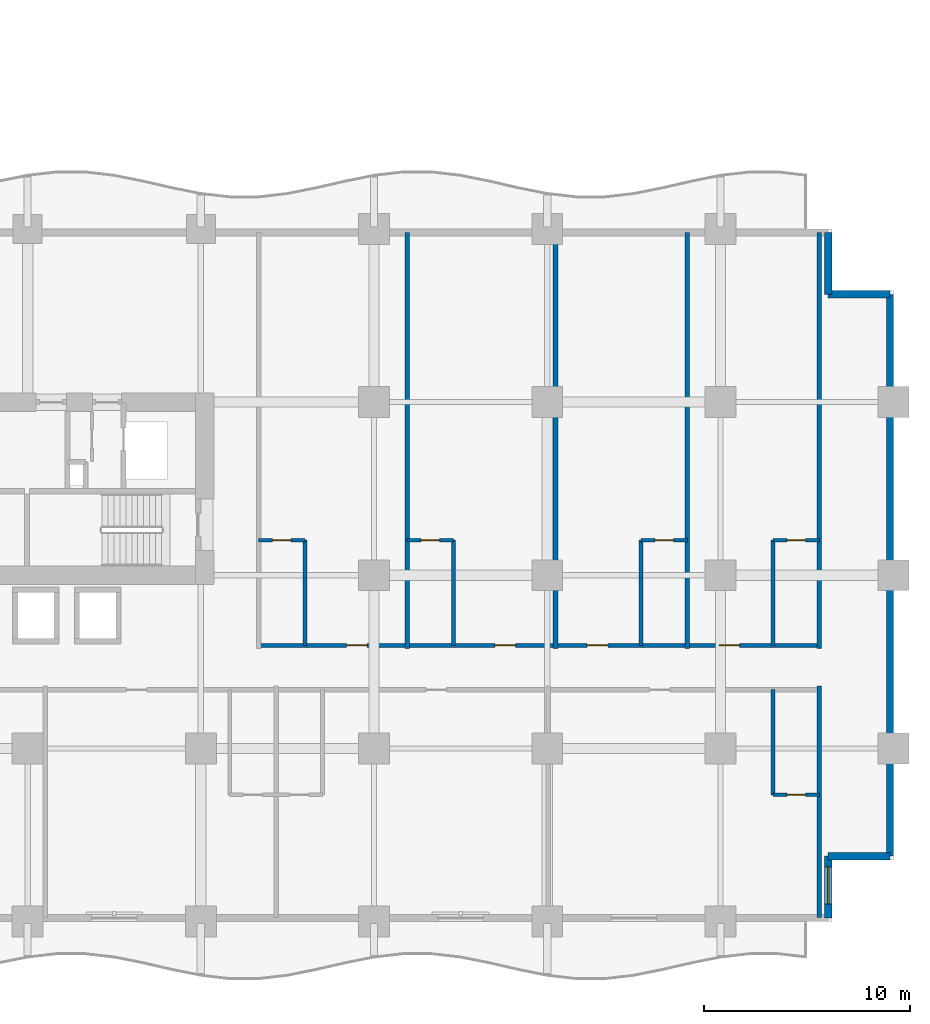
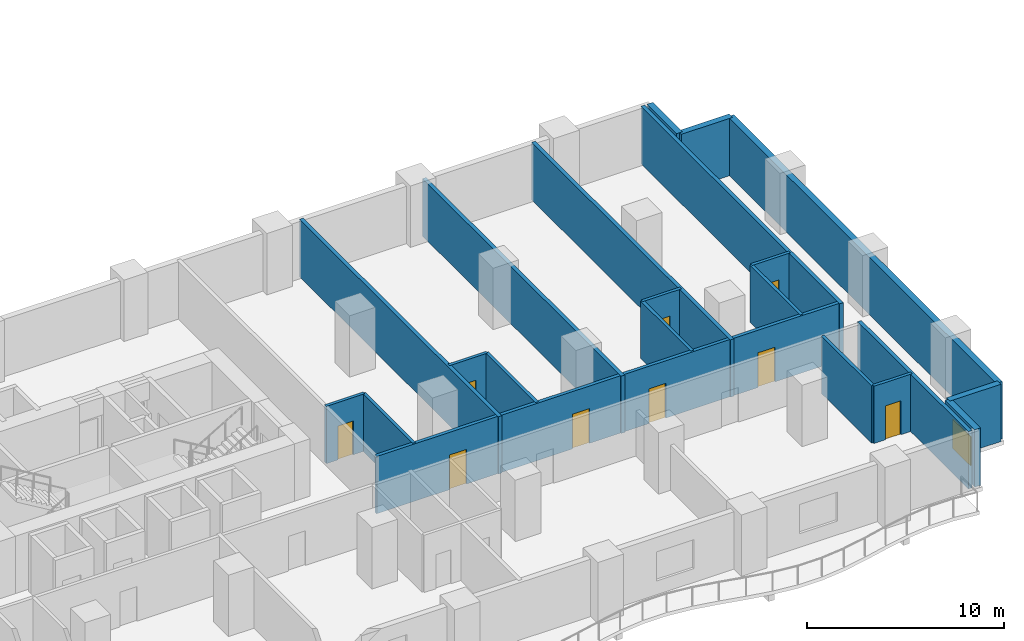
# One storey, part 12 of 22: 21 walls, 9 doors, 1 window, 10 openings.
"""IFC4 building model written with IfcOpenShell, lengths in metres."""

from ifc_helpers import new_model, si_unit, direction, frame, frame_2d, origin, place, context, subcontext, project, spatial, rectangle, extrude, material, layer, layer_set, type_object, element, fill, save


model = new_model("IFC4")

# Units and contexts
model_context = context("Model", 3, precision=1e-05, world=origin(), true_north=direction((0.0, 1.0)))
body_context = subcontext(model_context, "Body", "Model", "MODEL_VIEW")
ifc_project = project(units=[si_unit("LENGTHUNIT", "METRE"), si_unit("AREAUNIT", "SQUARE_METRE"), si_unit("VOLUMEUNIT", "CUBIC_METRE"), si_unit("PLANEANGLEUNIT", "RADIAN"), si_unit("MASSUNIT", "GRAM", prefix="KILO")], contexts=[model_context])

# Site, building, storey
site_placement = place(None, origin())
site = spatial("IfcSite", under=ifc_project, at=site_placement, CompositionType="ELEMENT")
building_placement = place(site_placement, origin())
building = spatial("IfcBuilding", under=site, at=building_placement, Name="Koriwani Terraces Tower", CompositionType="ELEMENT")
storey_placement = place(building_placement, frame((0.0, 0.0, 43.39990234375)))
storey = spatial("IfcBuildingStorey", under=building, at=storey_placement, Name="L09", CompositionType="ELEMENT", Elevation=43.39990234375)

# Wall, openings, doors
ifc_material_1 = material(Name="Autoclaved Cellular Concrete Blockwork", Category="masonry")
ifc_layer_1 = layer(ifc_material_1, 0.199951171875, Name="Autoclaved Cellular Concrete Blockwork")
ifc_layer_set_1 = layer_set([ifc_layer_1], Name="Autoclaved Cellular Concrete Blockwork")
wall_type_1 = type_object("IfcWallType", Name="WALL_CORRIDOR_200", PredefinedType="PARTITIONING", material=ifc_layer_set_1)
wall_1_placement = place(storey_placement, frame((61.60009765625, 13.39990234375, 0.0), z_axis=(0.0, 0.0, 1.0), x_axis=(1.0, 0.0, 0.0)))
wall_1 = element("IfcWall", 1, at=wall_1_placement, inside=storey, type_object=wall_type_1, Name="L09 Interior Wall WCOR-L09-SE-0", PredefinedType="PARTITIONING", context=body_context, shape_type="SweptSolid", body=[
    extrude(rectangle(XDim=27.199951171875, YDim=0.199951171875, at=frame_2d((13.60009765625, 0.0))), origin(), (0.0, 0.0, 1.0), 3.550048828125),
])
opening_1_placement = place(wall_1_placement, frame((4.264892578125, 0.0, 0.0)))
opening_1 = element("IfcOpeningElement", 2, at=opening_1_placement, cuts=wall_1, Name="Opening D-05", PredefinedType="OPENING", context=body_context, shape_type="SweptSolid", body=[
    extrude(rectangle(XDim=1.0, YDim=2.14990234375, at=frame_2d((0.5, 1.074951171875))), frame((0.0, 0.10986328125, 0.0), z_axis=(0.0, -1.0, 0.0), x_axis=(1.0, 0.0, 0.0)), (0.0, 0.0, 1.0), 0.219970703125),
])
opening_2_placement = place(wall_1_placement, frame((11.465087890625, 0.0, 0.0)))
opening_2 = element("IfcOpeningElement", 3, at=opening_2_placement, cuts=wall_1, Name="Opening D-05", PredefinedType="OPENING", context=body_context, shape_type="SweptSolid", body=[
    extrude(rectangle(XDim=1.0, YDim=2.14990234375, at=frame_2d((0.5, 1.074951171875))), frame((0.0, 0.10986328125, 0.0), z_axis=(0.0, -1.0, 0.0), x_axis=(1.0, 0.0, 0.0)), (0.0, 0.0, 1.0), 0.219970703125),
])
opening_3_placement = place(wall_1_placement, frame((15.93505859375, 0.0, 0.0)))
opening_3 = element("IfcOpeningElement", 4, at=opening_3_placement, cuts=wall_1, Name="Opening D-05", PredefinedType="OPENING", context=body_context, shape_type="SweptSolid", body=[
    extrude(rectangle(XDim=1.0, YDim=2.14990234375, at=frame_2d((0.5, 1.074951171875))), frame((0.0, 0.10986328125, 0.0), z_axis=(0.0, -1.0, 0.0), x_axis=(1.0, 0.0, 0.0)), (0.0, 0.0, 1.0), 0.219970703125),
])
opening_4_placement = place(wall_1_placement, frame((22.3349609375, 0.0, 0.0)))
opening_4 = element("IfcOpeningElement", 5, at=opening_4_placement, cuts=wall_1, Name="Opening D-05", PredefinedType="OPENING", context=body_context, shape_type="SweptSolid", body=[
    extrude(rectangle(XDim=1.0, YDim=2.14990234375, at=frame_2d((0.5, 1.074951171875))), frame((0.0, 0.10986328125, 0.0), z_axis=(0.0, -1.0, 0.0), x_axis=(1.0, 0.0, 0.0)), (0.0, 0.0, 1.0), 0.219970703125),
])
ifc_material_2 = material(Name="Architectural Oak Fire Door", Category="wood")
door_type_1 = type_object("IfcDoorType", Name="DOOR_SUITE_ENTRY_1000X2150", OperationType="NOTDEFINED", PredefinedType="DOOR", material=ifc_material_2)
door_1_placement = place(opening_1_placement, origin())
door_1 = element("IfcDoor", 6, at=door_1_placement, inside=storey, type_object=door_type_1, Name="Luxury Hotel Suite 09SE1 Entrance Door", OperationType="SINGLE_SWING_LEFT", OverallHeight=2.14990234375, OverallWidth=1.0, PredefinedType="DOOR", context=body_context, shape_type="SweptSolid", body=[
    extrude(rectangle(XDim=1.0, YDim=2.14990234375, at=frame_2d((0.5, 1.074951171875))), frame((0.0, 0.02490234375, 0.0), z_axis=(0.0, -1.0, 0.0), x_axis=(1.0, 0.0, 0.0)), (0.0, 0.0, 1.0), 0.050048828125),
])
fill(opening_1, door_1)
door_2_placement = place(opening_2_placement, origin())
door_2 = element("IfcDoor", 7, at=door_2_placement, inside=storey, type_object=door_type_1, Name="Luxury Hotel Suite 09SE2 Entrance Door", OperationType="SINGLE_SWING_LEFT", OverallHeight=2.14990234375, OverallWidth=1.0, PredefinedType="DOOR", context=body_context, shape_type="SweptSolid", body=[
    extrude(rectangle(XDim=1.0, YDim=2.14990234375, at=frame_2d((0.5, 1.074951171875))), frame((0.0, 0.02490234375, 0.0), z_axis=(0.0, -1.0, 0.0), x_axis=(1.0, 0.0, 0.0)), (0.0, 0.0, 1.0), 0.050048828125),
])
fill(opening_2, door_2)
door_3_placement = place(opening_3_placement, origin())
door_3 = element("IfcDoor", 8, at=door_3_placement, inside=storey, type_object=door_type_1, Name="Luxury Hotel Suite 09SE3 Entrance Door", OperationType="SINGLE_SWING_LEFT", OverallHeight=2.14990234375, OverallWidth=1.0, PredefinedType="DOOR", context=body_context, shape_type="SweptSolid", body=[
    extrude(rectangle(XDim=1.0, YDim=2.14990234375, at=frame_2d((0.5, 1.074951171875))), frame((0.0, 0.02490234375, 0.0), z_axis=(0.0, -1.0, 0.0), x_axis=(1.0, 0.0, 0.0)), (0.0, 0.0, 1.0), 0.050048828125),
])
fill(opening_3, door_3)
door_4_placement = place(opening_4_placement, origin())
door_4 = element("IfcDoor", 9, at=door_4_placement, inside=storey, type_object=door_type_1, Name="Luxury Hotel Suite 09SE4 Entrance Door", OperationType="SINGLE_SWING_LEFT", OverallHeight=2.14990234375, OverallWidth=1.0, PredefinedType="DOOR", context=body_context, shape_type="SweptSolid", body=[
    extrude(rectangle(XDim=1.0, YDim=2.14990234375, at=frame_2d((0.5, 1.074951171875))), frame((0.0, 0.02490234375, 0.0), z_axis=(0.0, -1.0, 0.0), x_axis=(1.0, 0.0, 0.0)), (0.0, 0.0, 1.0), 0.050048828125),
])
fill(opening_4, door_4)

# Walls
ifc_layer_2 = layer(ifc_material_1, 0.219970703125, Name="Autoclaved Cellular Concrete Blockwork")
ifc_layer_set_2 = layer_set([ifc_layer_2], Name="Autoclaved Cellular Concrete Blockwork")
wall_type_2 = type_object("IfcWallType", Name="WALL_DEMISING_220", PredefinedType="PARTITIONING", material=ifc_layer_set_2)
wall_2_placement = place(storey_placement, frame((88.800048828125, 0.199951171875, 0.0), z_axis=(0.0, 0.0, 1.0), x_axis=(0.0, 1.0, 0.0)))
element("IfcWall", 10, at=wall_2_placement, inside=storey, type_object=wall_type_2, Name="L09 Interior Wall WDEME-L09-SW", PredefinedType="PARTITIONING", context=body_context, shape_type="SweptSolid", body=[
    extrude(rectangle(XDim=11.22998046875, YDim=0.219970703125, at=frame_2d((5.614990234375, 0.0))), origin(), (0.0, 0.0, 1.0), 3.550048828125),
])
for number, where, z_axis, x_axis, name in (
    (11, (68.800048828125, 13.25, 0.0), (0.0, 0.0, 1.0), (0.0, 1.0, 0.0), "L09 Interior Wall WDEM-L09-SE-1"),
    (12, (76.0, 13.25, 0.0), (0.0, 0.0, 1.0), (0.0, 1.0, 0.0), "L09 Interior Wall WDEM-L09-SE-2"),
    (13, (82.39990234375, 13.25, 0.0), (0.0, 0.0, 1.0), (0.0, 1.0, 0.0), "L09 Interior Wall WDEM-L09-SE-3"),
    (14, (88.800048828125, 13.25, 0.0), (0.0, 0.0, 1.0), (0.0, 1.0, 0.0), "L09 Interior Wall WDEME-L09-SE"),
):
    element("IfcWall", number, at=place(storey_placement, frame(where, z_axis=z_axis, x_axis=x_axis)), inside=storey, type_object=wall_type_2, Name=name, PredefinedType="PARTITIONING", context=body_context, shape_type="SweptSolid", body=[
        extrude(rectangle(XDim=20.179931640625, YDim=0.219970703125, at=frame_2d((10.08984375, 0.0))), origin(), (0.0, 0.0, 1.0), 3.550048828125),
    ])
ifc_material_3 = material(Name="Concrete C50/60", Category="concrete")
ifc_layer_3 = layer(ifc_material_3, 0.35009765625, Name="Concrete C50/60")
ifc_layer_set_3 = layer_set([ifc_layer_3], Name="Concrete C50/60")
wall_type_3 = type_object("IfcWallType", Name="WALL_EXT_BRUTALIST_350", PredefinedType="STANDARD", material=ifc_layer_set_3)
for number, where, z_axis, x_axis, name in (
    (15, (89.22509765625, 33.425048828125, 0.0), (0.0, 0.0, 1.0), (0.0, -1.0, 0.0), "L09 Fair-Faced Brutalist Exterior Wall (N10)"),
    (16, (89.22509765625, 30.425048828125, 0.0), (0.0, 0.0, 1.0), (1.0, 0.0, 0.0), "L09 Fair-Faced Brutalist Exterior Wall (N11)"),
):
    element("IfcWall", number, at=place(storey_placement, frame(where, z_axis=z_axis, x_axis=x_axis)), inside=storey, type_object=wall_type_3, Name=name, PredefinedType="STANDARD", context=body_context, shape_type="SweptSolid", body=[
        extrude(rectangle(XDim=3.0, YDim=0.35009765625, at=frame_2d((1.5, 0.0))), origin(), (0.0, 0.0, 1.0), 3.550048828125),
    ])
wall_3_placement = place(storey_placement, frame((92.22509765625, 30.425048828125, 0.0), z_axis=(0.0, 0.0, 1.0), x_axis=(0.0, -1.0, 0.0)))
element("IfcWall", 17, at=wall_3_placement, inside=storey, type_object=wall_type_3, Name="L09 Fair-Faced Brutalist Exterior Wall (E_TIP)", PredefinedType="STANDARD", context=body_context, shape_type="SweptSolid", body=[
    extrude(rectangle(XDim=27.25, YDim=0.35009765625, at=frame_2d((13.625, 0.0))), origin(), (0.0, 0.0, 1.0), 3.550048828125),
])
wall_4_placement = place(storey_placement, frame((92.22509765625, 3.175048828125, 0.0), z_axis=(0.0, 0.0, 1.0), x_axis=(-1.0, 0.0, 0.0)))
element("IfcWall", 18, at=wall_4_placement, inside=storey, type_object=wall_type_3, Name="L09 Fair-Faced Brutalist Exterior Wall (N13)", PredefinedType="STANDARD", context=body_context, shape_type="SweptSolid", body=[
    extrude(rectangle(XDim=3.0, YDim=0.35009765625, at=frame_2d((1.5, 0.0))), origin(), (0.0, 0.0, 1.0), 3.550048828125),
])

# Wall, opening, window
wall_5_placement = place(storey_placement, frame((89.22509765625, 3.175048828125, 0.0), z_axis=(0.0, 0.0, 1.0), x_axis=(0.0, -1.0, 0.0)))
wall_5 = element("IfcWall", 19, at=wall_5_placement, inside=storey, type_object=wall_type_3, Name="L09 Fair-Faced Brutalist Exterior Wall (N14)", PredefinedType="STANDARD", context=body_context, shape_type="SweptSolid", body=[
    extrude(rectangle(XDim=3.0, YDim=0.35009765625, at=frame_2d((1.5, 0.0))), origin(), (0.0, 0.0, 1.0), 3.550048828125),
])
opening_5_placement = place(wall_5_placement, frame((0.5224609375, 0.0, 0.85009765625)))
opening_5 = element("IfcOpeningElement", 20, at=opening_5_placement, cuts=wall_5, Name="Opening W-04", PredefinedType="OPENING", context=body_context, shape_type="SweptSolid", body=[
    extrude(rectangle(XDim=1.800048828125, YDim=1.800048828125, at=frame_2d((0.89990234375, 0.89990234375))), frame((0.0, 0.18505859375, 0.0), z_axis=(0.0, -1.0, 0.0), x_axis=(1.0, 0.0, 0.0)), (0.0, 0.0, 1.0), 0.3701171875),
])
ifc_material_4 = material(Name="Tempered Laminated Low-E Glass", Category="glass")
window_type = type_object("IfcWindowType", Name="WIN_RES_BED_1800X1800", PartitioningType="DOUBLE_PANEL_VERTICAL", PredefinedType="WINDOW", material=ifc_material_4)
window_placement = place(opening_5_placement, origin())
window = element("IfcWindow", 21, at=window_placement, inside=storey, type_object=window_type, Name="L09 Exterior Window (N14-R57)", OverallHeight=1.800048828125, OverallWidth=1.800048828125, PartitioningType="SINGLE_PANEL", PredefinedType="WINDOW", context=body_context, shape_type="SweptSolid", body=[
    extrude(rectangle(XDim=1.800048828125, YDim=1.800048828125, at=frame_2d((0.89990234375, 0.89990234375))), frame((0.0, 0.030029296875, 0.0), z_axis=(0.0, -1.0, 0.0), x_axis=(1.0, 0.0, 0.0)), (0.0, 0.0, 1.0), 0.06005859375),
])
fill(opening_5, window)

# Wall, opening, door
ifc_material_5 = material(Name="Fire-Rated Acoustic Gypsum Partition", Category="masonry")
ifc_layer_4 = layer(ifc_material_5, 0.179931640625, Name="Fire-Rated Acoustic Gypsum Partition")
ifc_layer_set_4 = layer_set([ifc_layer_4], Name="Fire-Rated Acoustic Gypsum Partition")
wall_type_4 = type_object("IfcWallType", Name="WALL_PLUMBING_180", PredefinedType="PLUMBINGWALL", material=ifc_layer_set_4)
wall_6_placement = place(storey_placement, frame((86.550048828125, 6.14990234375, 0.0), z_axis=(0.0, 0.0, 1.0), x_axis=(1.0, 0.0, 0.0)))
wall_6 = element("IfcWall", 22, at=wall_6_placement, inside=storey, type_object=wall_type_4, Name="L09 Interior Wall WBTH1-L09-SW-5", PredefinedType="PLUMBINGWALL", context=body_context, shape_type="SweptSolid", body=[
    extrude(rectangle(XDim=2.25, YDim=0.179931640625, at=frame_2d((1.125, 0.0))), origin(), (0.0, 0.0, 1.0), 3.550048828125),
])
opening_6_placement = place(wall_6_placement, frame((0.675048828125, 0.0, 0.0)))
opening_6 = element("IfcOpeningElement", 23, at=opening_6_placement, cuts=wall_6, Name="Opening D-07", PredefinedType="OPENING", context=body_context, shape_type="SweptSolid", body=[
    extrude(rectangle(XDim=0.89990234375, YDim=2.10009765625, at=frame_2d((0.449951171875, 1.050048828125))), frame((0.0, 0.10009765625, 0.0), z_axis=(0.0, -1.0, 0.0), x_axis=(1.0, 0.0, 0.0)), (0.0, 0.0, 1.0), 0.199951171875),
])
door_type_2 = type_object("IfcDoorType", Name="DOOR_BATH_INT_900X2100", OperationType="NOTDEFINED", PredefinedType="DOOR", material=ifc_material_2)
door_5_placement = place(opening_6_placement, origin())
door_5 = element("IfcDoor", 24, at=door_5_placement, inside=storey, type_object=door_type_2, Name="En-Suite Bathroom 09SW6 Door", OperationType="SINGLE_SWING_RIGHT", OverallHeight=2.10009765625, OverallWidth=0.89990234375, PredefinedType="DOOR", context=body_context, shape_type="SweptSolid", body=[
    extrude(rectangle(XDim=0.89990234375, YDim=2.10009765625, at=frame_2d((0.449951171875, 1.050048828125))), frame((0.0, 0.02490234375, 0.0), z_axis=(0.0, -1.0, 0.0), x_axis=(1.0, 0.0, 0.0)), (0.0, 0.0, 1.0), 0.050048828125),
])
fill(opening_6, door_5)

# Wall
wall_7_placement = place(storey_placement, frame((86.550048828125, 6.14990234375, 0.0), z_axis=(0.0, 0.0, 1.0), x_axis=(0.0, 1.0, 0.0)))
element("IfcWall", 25, at=wall_7_placement, inside=storey, type_object=wall_type_4, Name="L09 Interior Wall WBTH2-L09-SW-5", PredefinedType="PLUMBINGWALL", context=body_context, shape_type="SweptSolid", body=[
    extrude(rectangle(XDim=5.10009765625, YDim=0.179931640625, at=frame_2d((2.550048828125, 0.0))), origin(), (0.0, 0.0, 1.0), 3.550048828125),
])

# Wall, opening, door
wall_8_placement = place(storey_placement, frame((61.60009765625, 18.5, 0.0), z_axis=(0.0, 0.0, 1.0), x_axis=(1.0, 0.0, 0.0)))
wall_8 = element("IfcWall", 26, at=wall_8_placement, inside=storey, type_object=wall_type_4, Name="L09 Interior Wall WBTH1-L09-SE-0", PredefinedType="PLUMBINGWALL", context=body_context, shape_type="SweptSolid", body=[
    extrude(rectangle(XDim=2.25, YDim=0.179931640625, at=frame_2d((1.125, 0.0))), origin(), (0.0, 0.0, 1.0), 3.550048828125),
])
opening_7_placement = place(wall_8_placement, frame((0.675048828125, 0.0, 0.0)))
opening_7 = element("IfcOpeningElement", 27, at=opening_7_placement, cuts=wall_8, Name="Opening D-07", PredefinedType="OPENING", context=body_context, shape_type="SweptSolid", body=[
    extrude(rectangle(XDim=0.89990234375, YDim=2.10009765625, at=frame_2d((0.449951171875, 1.050048828125))), frame((0.0, 0.10009765625, 0.0), z_axis=(0.0, -1.0, 0.0), x_axis=(1.0, 0.0, 0.0)), (0.0, 0.0, 1.0), 0.199951171875),
])
door_6_placement = place(opening_7_placement, origin())
door_6 = element("IfcDoor", 28, at=door_6_placement, inside=storey, type_object=door_type_2, Name="En-Suite Bathroom 09SE1 Door", OperationType="SINGLE_SWING_RIGHT", OverallHeight=2.10009765625, OverallWidth=0.89990234375, PredefinedType="DOOR", context=body_context, shape_type="SweptSolid", body=[
    extrude(rectangle(XDim=0.89990234375, YDim=2.10009765625, at=frame_2d((0.449951171875, 1.050048828125))), frame((0.0, 0.02490234375, 0.0), z_axis=(0.0, -1.0, 0.0), x_axis=(1.0, 0.0, 0.0)), (0.0, 0.0, 1.0), 0.050048828125),
])
fill(opening_7, door_6)

# Wall
wall_9_placement = place(storey_placement, frame((63.85009765625, 13.39990234375, 0.0), z_axis=(0.0, 0.0, 1.0), x_axis=(0.0, 1.0, 0.0)))
element("IfcWall", 29, at=wall_9_placement, inside=storey, type_object=wall_type_4, Name="L09 Interior Wall WBTH2-L09-SE-0", PredefinedType="PLUMBINGWALL", context=body_context, shape_type="SweptSolid", body=[
    extrude(rectangle(XDim=5.10009765625, YDim=0.179931640625, at=frame_2d((2.550048828125, 0.0))), origin(), (0.0, 0.0, 1.0), 3.550048828125),
])

# Wall, opening, door
wall_10_placement = place(storey_placement, frame((68.800048828125, 18.5, 0.0), z_axis=(0.0, 0.0, 1.0), x_axis=(1.0, 0.0, 0.0)))
wall_10 = element("IfcWall", 30, at=wall_10_placement, inside=storey, type_object=wall_type_4, Name="L09 Interior Wall WBTH1-L09-SE-1", PredefinedType="PLUMBINGWALL", context=body_context, shape_type="SweptSolid", body=[
    extrude(rectangle(XDim=2.25, YDim=0.179931640625, at=frame_2d((1.125, 0.0))), origin(), (0.0, 0.0, 1.0), 3.550048828125),
])
opening_8_placement = place(wall_10_placement, frame((0.675048828125, 0.0, 0.0)))
opening_8 = element("IfcOpeningElement", 31, at=opening_8_placement, cuts=wall_10, Name="Opening D-07", PredefinedType="OPENING", context=body_context, shape_type="SweptSolid", body=[
    extrude(rectangle(XDim=0.89990234375, YDim=2.10009765625, at=frame_2d((0.449951171875, 1.050048828125))), frame((0.0, 0.10009765625, 0.0), z_axis=(0.0, -1.0, 0.0), x_axis=(1.0, 0.0, 0.0)), (0.0, 0.0, 1.0), 0.199951171875),
])
door_7_placement = place(opening_8_placement, origin())
door_7 = element("IfcDoor", 32, at=door_7_placement, inside=storey, type_object=door_type_2, Name="En-Suite Bathroom 09SE2 Door", OperationType="SINGLE_SWING_RIGHT", OverallHeight=2.10009765625, OverallWidth=0.89990234375, PredefinedType="DOOR", context=body_context, shape_type="SweptSolid", body=[
    extrude(rectangle(XDim=0.89990234375, YDim=2.10009765625, at=frame_2d((0.449951171875, 1.050048828125))), frame((0.0, 0.02490234375, 0.0), z_axis=(0.0, -1.0, 0.0), x_axis=(1.0, 0.0, 0.0)), (0.0, 0.0, 1.0), 0.050048828125),
])
fill(opening_8, door_7)

# Wall
wall_11_placement = place(storey_placement, frame((71.050048828125, 13.39990234375, 0.0), z_axis=(0.0, 0.0, 1.0), x_axis=(0.0, 1.0, 0.0)))
element("IfcWall", 33, at=wall_11_placement, inside=storey, type_object=wall_type_4, Name="L09 Interior Wall WBTH2-L09-SE-1", PredefinedType="PLUMBINGWALL", context=body_context, shape_type="SweptSolid", body=[
    extrude(rectangle(XDim=5.10009765625, YDim=0.179931640625, at=frame_2d((2.550048828125, 0.0))), origin(), (0.0, 0.0, 1.0), 3.550048828125),
])

# Wall, opening, door
wall_12_placement = place(storey_placement, frame((80.14990234375, 18.5, 0.0), z_axis=(0.0, 0.0, 1.0), x_axis=(1.0, 0.0, 0.0)))
wall_12 = element("IfcWall", 34, at=wall_12_placement, inside=storey, type_object=wall_type_4, Name="L09 Interior Wall WBTH1-L09-SE-2", PredefinedType="PLUMBINGWALL", context=body_context, shape_type="SweptSolid", body=[
    extrude(rectangle(XDim=2.25, YDim=0.179931640625, at=frame_2d((1.125, 0.0))), origin(), (0.0, 0.0, 1.0), 3.550048828125),
])
opening_9_placement = place(wall_12_placement, frame((0.675048828125, 0.0, 0.0)))
opening_9 = element("IfcOpeningElement", 35, at=opening_9_placement, cuts=wall_12, Name="Opening D-07", PredefinedType="OPENING", context=body_context, shape_type="SweptSolid", body=[
    extrude(rectangle(XDim=0.89990234375, YDim=2.10009765625, at=frame_2d((0.449951171875, 1.050048828125))), frame((0.0, 0.10009765625, 0.0), z_axis=(0.0, -1.0, 0.0), x_axis=(1.0, 0.0, 0.0)), (0.0, 0.0, 1.0), 0.199951171875),
])
door_8_placement = place(opening_9_placement, origin())
door_8 = element("IfcDoor", 36, at=door_8_placement, inside=storey, type_object=door_type_2, Name="En-Suite Bathroom 09SE3 Door", OperationType="SINGLE_SWING_RIGHT", OverallHeight=2.10009765625, OverallWidth=0.89990234375, PredefinedType="DOOR", context=body_context, shape_type="SweptSolid", body=[
    extrude(rectangle(XDim=0.89990234375, YDim=2.10009765625, at=frame_2d((0.449951171875, 1.050048828125))), frame((0.0, 0.02490234375, 0.0), z_axis=(0.0, -1.0, 0.0), x_axis=(1.0, 0.0, 0.0)), (0.0, 0.0, 1.0), 0.050048828125),
])
fill(opening_9, door_8)

# Wall
wall_13_placement = place(storey_placement, frame((80.14990234375, 13.39990234375, 0.0), z_axis=(0.0, 0.0, 1.0), x_axis=(0.0, 1.0, 0.0)))
element("IfcWall", 37, at=wall_13_placement, inside=storey, type_object=wall_type_4, Name="L09 Interior Wall WBTH2-L09-SE-2", PredefinedType="PLUMBINGWALL", context=body_context, shape_type="SweptSolid", body=[
    extrude(rectangle(XDim=5.10009765625, YDim=0.179931640625, at=frame_2d((2.550048828125, 0.0))), origin(), (0.0, 0.0, 1.0), 3.550048828125),
])

# Wall, opening, door
wall_14_placement = place(storey_placement, frame((86.550048828125, 18.5, 0.0), z_axis=(0.0, 0.0, 1.0), x_axis=(1.0, 0.0, 0.0)))
wall_14 = element("IfcWall", 38, at=wall_14_placement, inside=storey, type_object=wall_type_4, Name="L09 Interior Wall WBTH1-L09-SE-3", PredefinedType="PLUMBINGWALL", context=body_context, shape_type="SweptSolid", body=[
    extrude(rectangle(XDim=2.25, YDim=0.179931640625, at=frame_2d((1.125, 0.0))), origin(), (0.0, 0.0, 1.0), 3.550048828125),
])
opening_10_placement = place(wall_14_placement, frame((0.675048828125, 0.0, 0.0)))
opening_10 = element("IfcOpeningElement", 39, at=opening_10_placement, cuts=wall_14, Name="Opening D-07", PredefinedType="OPENING", context=body_context, shape_type="SweptSolid", body=[
    extrude(rectangle(XDim=0.89990234375, YDim=2.10009765625, at=frame_2d((0.449951171875, 1.050048828125))), frame((0.0, 0.10009765625, 0.0), z_axis=(0.0, -1.0, 0.0), x_axis=(1.0, 0.0, 0.0)), (0.0, 0.0, 1.0), 0.199951171875),
])
door_9_placement = place(opening_10_placement, origin())
door_9 = element("IfcDoor", 40, at=door_9_placement, inside=storey, type_object=door_type_2, Name="En-Suite Bathroom 09SE4 Door", OperationType="SINGLE_SWING_RIGHT", OverallHeight=2.10009765625, OverallWidth=0.89990234375, PredefinedType="DOOR", context=body_context, shape_type="SweptSolid", body=[
    extrude(rectangle(XDim=0.89990234375, YDim=2.10009765625, at=frame_2d((0.449951171875, 1.050048828125))), frame((0.0, 0.02490234375, 0.0), z_axis=(0.0, -1.0, 0.0), x_axis=(1.0, 0.0, 0.0)), (0.0, 0.0, 1.0), 0.050048828125),
])
fill(opening_10, door_9)

# Wall
wall_15_placement = place(storey_placement, frame((86.550048828125, 13.39990234375, 0.0), z_axis=(0.0, 0.0, 1.0), x_axis=(0.0, 1.0, 0.0)))
element("IfcWall", 41, at=wall_15_placement, inside=storey, type_object=wall_type_4, Name="L09 Interior Wall WBTH2-L09-SE-3", PredefinedType="PLUMBINGWALL", context=body_context, shape_type="SweptSolid", body=[
    extrude(rectangle(XDim=5.10009765625, YDim=0.179931640625, at=frame_2d((2.550048828125, 0.0))), origin(), (0.0, 0.0, 1.0), 3.550048828125),
])

save(model, "model.ifc")
